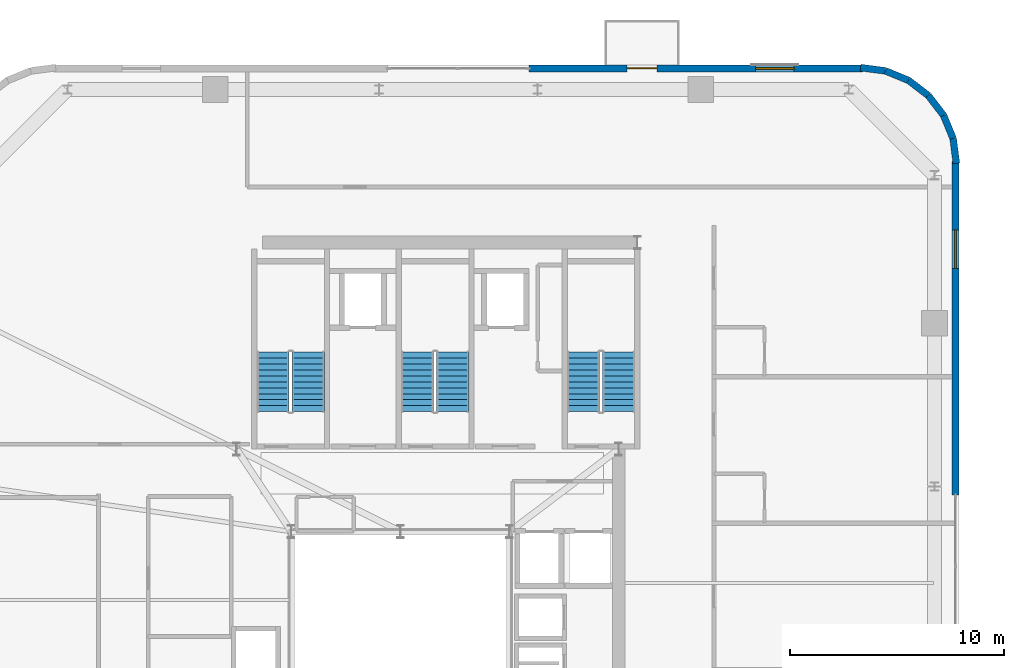
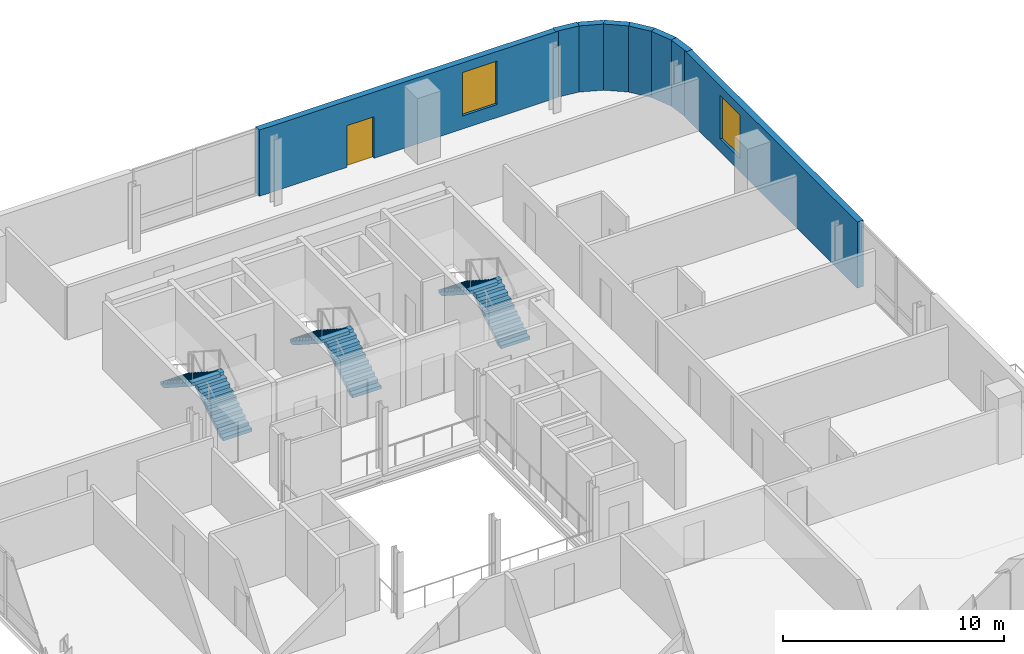
# One storey, part 11 of 15: 8 walls, 6 stair flights, 2 windows, 1 door, 3 openings, 3 elements without a shape of their own.
"""IFC4 building model written with IfcOpenShell, lengths in metres."""

from ifc_helpers import new_model, si_unit, direction, frame, frame_2d, origin, place, context, subcontext, project, spatial, polyline, rectangle, outline, extrude, source, transform, mapped, material, layer, layer_set, type_object, element, fill, aggregate, save


model = new_model("IFC4")

# Units and contexts
model_context = context("Model", 3, precision=1e-05, world=origin(), true_north=direction((0.0, 1.0)))
body_context = subcontext(model_context, "Body", "Model", "MODEL_VIEW")
ifc_project = project(units=[si_unit("LENGTHUNIT", "METRE"), si_unit("AREAUNIT", "SQUARE_METRE"), si_unit("VOLUMEUNIT", "CUBIC_METRE"), si_unit("PLANEANGLEUNIT", "RADIAN"), si_unit("MASSUNIT", "GRAM", prefix="KILO")], contexts=[model_context])

# Site, building, storey
site_placement = place(None, origin())
site = spatial("IfcSite", under=ifc_project, at=site_placement, CompositionType="ELEMENT")
building_placement = place(site_placement, origin())
building = spatial("IfcBuilding", under=site, at=building_placement, Name="Vardaveli Station Tower", CompositionType="ELEMENT")
storey_placement = place(building_placement, frame((0.0, 0.0, 250.60009765625)))
storey = spatial("IfcBuildingStorey", under=building, at=storey_placement, Name="L64", CompositionType="ELEMENT", Elevation=250.60009765625)

# Wall, openings, door, window
ifc_material_1 = material(Name="Precast concrete C45/55", Category="concrete")
ifc_layer = layer(ifc_material_1, 0.320068359375, Name="Precast concrete C45/55")
ifc_layer_set = layer_set([ifc_layer], Name="Precast concrete C45/55")
wall_type = type_object("IfcWallType", Name="WAL-EXT-STONE-320", PredefinedType="SOLIDWALL", material=ifc_layer_set)
shared_shape_1 = source(origin(), body_context, "Body", "SweptSolid", [
    extrude(rectangle(XDim=15.599853515625, YDim=0.320068359375, at=frame_2d((7.7998046875, 0.0))), origin(), (0.0, 0.0, 1.0), 3.64990234375),
])
wall_1_placement = place(storey_placement, frame((57.89990234375, 48.43994140625, 0.0), z_axis=(0.0, 0.0, 1.0), x_axis=(-1.0, 0.0, 0.0)))
wall_1 = element("IfcWall", 1, at=wall_1_placement, inside=storey, type_object=wall_type, Name="EW-L64-N1", PredefinedType="SOLIDWALL", context=body_context, shape_type="MappedRepresentation", body=[
    mapped(shared_shape_1, transform((0.0, 0.0, 0.0), scale=1.0)),
])
shared_shape_2 = source(origin(), body_context, "Body", "SweptSolid", [
    extrude(rectangle(XDim=1.39990234375, YDim=2.300048828125, at=frame_2d((0.699951171875, 1.14990234375))), frame((0.0, 0.169921875, 0.0), z_axis=(0.0, -1.0, 0.0), x_axis=(1.0, 0.0, 0.0)), (0.0, 0.0, 1.0), 0.340087890625),
])
opening_1_placement = place(wall_1_placement, frame((9.6103515625, 0.0, 0.0)))
opening_1 = element("IfcOpeningElement", 2, at=opening_1_placement, cuts=wall_1, Name="Opening D-09", PredefinedType="OPENING", context=body_context, shape_type="MappedRepresentation", body=[
    mapped(shared_shape_2, transform((0.0, 0.0, 0.0), scale=1.0)),
])
shared_shape_3 = source(origin(), body_context, "Body", "SweptSolid", [
    extrude(rectangle(XDim=1.800048828125, YDim=2.39990234375, at=frame_2d((0.89990234375, 1.199951171875))), frame((0.0, 0.169921875, 0.0), z_axis=(0.0, -1.0, 0.0), x_axis=(1.0, 0.0, 0.0)), (0.0, 0.0, 1.0), 0.340087890625),
])
opening_2_placement = place(wall_1_placement, frame((3.205078125, 0.0, 0.719970703125)))
opening_2 = element("IfcOpeningElement", 3, at=opening_2_placement, cuts=wall_1, Name="Opening W-05", PredefinedType="OPENING", context=body_context, shape_type="MappedRepresentation", body=[
    mapped(shared_shape_3, transform((0.0, 0.0, 0.0), scale=1.0)),
])
ifc_material_2 = material(Name="Thermally broken aluminium glass", Category="aluminium")
door_type = type_object("IfcDoorType", Name="DR-LOG-1400x2300", OperationType="DOUBLE_DOOR_SLIDING", PredefinedType="DOOR", material=ifc_material_2)
shared_shape_4 = source(origin(), body_context, "Body", "SweptSolid", [
    extrude(rectangle(XDim=1.39990234375, YDim=2.300048828125, at=frame_2d((0.699951171875, 1.14990234375))), frame((0.0, 0.02490234375, 0.0), z_axis=(0.0, -1.0, 0.0), x_axis=(1.0, 0.0, 0.0)), (0.0, 0.0, 1.0), 0.050048828125),
])
door_placement = place(opening_1_placement, frame((1.39990234375, 0.0, 0.0), z_axis=(0.0, 0.0, 1.0), x_axis=(-1.0, 0.0, 0.0)))
door = element("IfcDoor", 4, at=door_placement, inside=storey, type_object=door_type, Name="DLG-L64-N", OperationType="DOUBLE_DOOR_SLIDING", OverallHeight=2.300048828125, OverallWidth=1.39990234375, PredefinedType="DOOR", context=body_context, shape_type="MappedRepresentation", body=[
    mapped(shared_shape_4, transform((0.0, 0.0, 0.0), scale=1.0)),
])
fill(opening_1, door)
ifc_material_3 = material(Name="Low-E solar-control glass", Category="glass")
window_type = type_object("IfcWindowType", Name="WIN-HIGH-1800x2400", PartitioningType="SINGLE_PANEL", PredefinedType="WINDOW", material=ifc_material_3)
shared_shape_5 = source(origin(), body_context, "Body", "SweptSolid", [
    extrude(rectangle(XDim=1.800048828125, YDim=2.39990234375, at=frame_2d((0.89990234375, 1.199951171875))), frame((0.0, 0.030029296875, 0.0), z_axis=(0.0, -1.0, 0.0), x_axis=(1.0, 0.0, 0.0)), (0.0, 0.0, 1.0), 0.06005859375),
])
window_1_placement = place(opening_2_placement, origin())
window_1 = element("IfcWindow", 5, at=window_1_placement, inside=storey, type_object=window_type, Name="WN-L64-N1", OverallHeight=2.39990234375, OverallWidth=1.800048828125, PartitioningType="SINGLE_PANEL", PredefinedType="WINDOW", context=body_context, shape_type="MappedRepresentation", body=[
    mapped(shared_shape_5, transform((0.0, 0.0, 0.0), scale=1.0)),
])
fill(opening_2, window_1)

# Wall, opening, window
shared_shape_6 = source(origin(), body_context, "Body", "SweptSolid", [
    extrude(rectangle(XDim=15.60009765625, YDim=0.320068359375, at=frame_2d((7.800048828125, 0.0))), origin(), (0.0, 0.0, 1.0), 3.64990234375),
])
wall_2_placement = place(storey_placement, frame((62.239990234375, 28.5, 0.0), z_axis=(0.0, 0.0, 1.0), x_axis=(0.0, 1.0, 0.0)))
wall_2 = element("IfcWall", 6, at=wall_2_placement, inside=storey, type_object=wall_type, Name="EW-L64-E2", PredefinedType="SOLIDWALL", context=body_context, shape_type="MappedRepresentation", body=[
    mapped(shared_shape_6, transform((0.0, 0.0, 0.0), scale=1.0)),
])
opening_3_placement = place(wall_2_placement, frame((10.594970703125, 0.0, 0.719970703125)))
opening_3 = element("IfcOpeningElement", 7, at=opening_3_placement, cuts=wall_2, Name="Opening W-05", PredefinedType="OPENING", context=body_context, shape_type="MappedRepresentation", body=[
    mapped(shared_shape_3, transform((0.0, 0.0, 0.0), scale=1.0)),
])
window_2_placement = place(opening_3_placement, origin())
window_2 = element("IfcWindow", 8, at=window_2_placement, inside=storey, type_object=window_type, Name="WN-L64-E2", OverallHeight=2.39990234375, OverallWidth=1.800048828125, PartitioningType="SINGLE_PANEL", PredefinedType="WINDOW", context=body_context, shape_type="MappedRepresentation", body=[
    mapped(shared_shape_5, transform((0.0, 0.0, 0.0), scale=1.0)),
])
fill(opening_3, window_2)

# Walls
shared_shape_7 = source(origin(), body_context, "Body", "SweptSolid", [
    extrude(rectangle(XDim=1.1689453125, YDim=0.320068359375, at=frame_2d((0.58447265625, 0.0))), origin(), (0.0, 0.0, 1.0), 3.64990234375),
])
wall_3_placement = place(storey_placement, frame((61.679931640625, 46.2412109375, 0.0), z_axis=(0.0, 0.0, 1.0), x_axis=(-0.608387696831, 0.793639975269, 0.0)))
element("IfcWall", 9, at=wall_3_placement, inside=storey, type_object=wall_type, Name="EW-L64-CR3-3", PredefinedType="SOLIDWALL", context=body_context, shape_type="MappedRepresentation", body=[
    mapped(shared_shape_7, transform((0.0, 0.0, 0.0), scale=1.0)),
])
shared_shape_8 = source(origin(), body_context, "Body", "SweptSolid", [
    extrude(rectangle(XDim=1.168701171875, YDim=0.320068359375, at=frame_2d((0.58447265625, 0.0))), origin(), (0.0, 0.0, 1.0), 3.64990234375),
])
wall_4_placement = place(storey_placement, frame((60.96875, 47.1689453125, 0.0), z_axis=(0.0, 0.0, 1.0), x_axis=(-0.793663520347, 0.608356981114, 0.0)))
element("IfcWall", 10, at=wall_4_placement, inside=storey, type_object=wall_type, Name="EW-L64-CR3-4", PredefinedType="SOLIDWALL", context=body_context, shape_type="MappedRepresentation", body=[
    mapped(shared_shape_8, transform((0.0, 0.0, 0.0), scale=1.0)),
])
shared_shape_9 = source(origin(), body_context, "Body", "SweptSolid", [
    extrude(rectangle(XDim=1.17041015625, YDim=0.320068359375, at=frame_2d((0.585205078125, 0.0))), origin(), (0.0, 0.0, 1.0), 3.64990234375),
])
for number, where, z_axis, x_axis, name in (
    (11, (62.275634765625, 43.99951171875, 0.0), (0.0, 0.0, 1.0), (-0.128295670475, 0.991735963317, 0.0), "EW-L64-CR3-1"),
    (12, (58.960205078125, 48.325439453125, 0.0), (0.0, 0.0, 1.0), (-0.991735963317, 0.128295670475, 0.0), "EW-L64-CR3-6"),
):
    element("IfcWall", number, at=place(storey_placement, frame(where, z_axis=z_axis, x_axis=x_axis)), inside=storey, type_object=wall_type, Name=name, PredefinedType="SOLIDWALL", context=body_context, shape_type="MappedRepresentation", body=[
        mapped(shared_shape_9, transform((0.0, 0.0, 0.0), scale=1.0)),
    ])
shared_shape_10 = source(origin(), body_context, "Body", "SweptSolid", [
    extrude(rectangle(XDim=1.169189453125, YDim=0.320068359375, at=frame_2d((0.58447265625, 0.0))), origin(), (0.0, 0.0, 1.0), 3.64990234375),
])
for number, where, z_axis, x_axis, name in (
    (13, (62.12548828125, 45.16015625, 0.0), (0.0, 0.0, 1.0), (-0.381054331552, 0.924552646638, 0.0), "EW-L64-CR3-2"),
    (14, (60.041259765625, 47.8798828125, 0.0), (0.0, 0.0, 1.0), (-0.924552646638, 0.381054331552, 0.0), "EW-L64-CR3-5"),
):
    element("IfcWall", number, at=place(storey_placement, frame(where, z_axis=z_axis, x_axis=x_axis)), inside=storey, type_object=wall_type, Name=name, PredefinedType="SOLIDWALL", context=body_context, shape_type="MappedRepresentation", body=[
        mapped(shared_shape_10, transform((0.0, 0.0, 0.0), scale=1.0)),
    ])

# Stair, stair flights
ifc_material_4 = material(Name="Concrete C40/50", Category="concrete")
stair_type = type_object("IfcStairType", Name="STR-CORE-1500", PredefinedType="HALF_TURN_STAIR", material=ifc_material_4)
stair_1_placement = place(storey_placement, origin())
stair_1 = element("IfcStair", 15, at=stair_1_placement, inside=storey, type_object=stair_type, Name="L64 ST-1", PredefinedType="HALF_TURN_STAIR")
stair_flight_type = type_object("IfcStairFlightType", Name="SFL-CORE-1500", PredefinedType="STRAIGHT", material=ifc_material_4)
shared_shape_11 = source(origin(), body_context, "Body", "SweptSolid", [
    extrude(outline(polyline([(0.0, 0.0), (0.0, 0.179443359375), (0.280029296875, 0.179443359375), (0.280029296875, 0.359130859375), (0.56005859375, 0.359130859375), (0.56005859375, 0.53857421875), (0.840087890625, 0.53857421875), (0.840087890625, 0.71826171875), (1.1201171875, 0.71826171875), (1.1201171875, 0.897705078125), (1.39990234375, 0.897705078125), (1.39990234375, 1.077392578125), (1.679931640625, 1.077392578125), (1.679931640625, 1.2568359375), (1.9599609375, 1.2568359375), (1.9599609375, 1.436279296875), (2.239990234375, 1.436279296875), (2.239990234375, 1.615966796875), (2.52001953125, 1.615966796875), (2.52001953125, 1.79541015625), (2.800048828125, 1.79541015625), (2.800048828125, 1.97509765625), (2.800048828125, 1.617431640625), (0.277587890625, 0.0), (0.0, 0.0)])), frame((0.0, 0.75, 0.0), z_axis=(0.0, -1.0, 0.0), x_axis=(1.0, 0.0, 0.0)), (0.0, 0.0, 1.0), 1.5),
])
stair_flight_1_placement = place(storey_placement, frame((32.0, 32.39990234375, 0.0), z_axis=(0.0, 0.0, 1.0), x_axis=(0.0, 1.0, 0.0)))
stair_flight_1 = element("IfcStairFlight", 16, at=stair_flight_1_placement, type_object=stair_flight_type, Name="ST-1 flight 1", NumberOfRisers=11, NumberOfTreads=10, PredefinedType="STRAIGHT", RiserHeight=0.179545455, TreadLength=0.28, context=body_context, shape_type="MappedRepresentation", body=[
    mapped(shared_shape_11, transform((0.0, 0.0, 0.0), scale=1.0)),
])
stair_flight_2_placement = place(storey_placement, frame((30.35009765625, 35.199951171875, 1.974853515625), z_axis=(0.0, 0.0, 1.0), x_axis=(0.0, -1.0, 0.0)))
stair_flight_2 = element("IfcStairFlight", 17, at=stair_flight_2_placement, type_object=stair_flight_type, Name="ST-1 flight 2", NumberOfRisers=11, NumberOfTreads=10, PredefinedType="STRAIGHT", RiserHeight=0.179545455, TreadLength=0.28, context=body_context, shape_type="MappedRepresentation", body=[
    mapped(shared_shape_11, transform((0.0, 0.0, 0.0), scale=1.0)),
])
aggregate(stair_1, [stair_flight_1, stair_flight_2])

stair_2_placement = place(storey_placement, origin())
stair_2 = element("IfcStair", 18, at=stair_2_placement, inside=storey, type_object=stair_type, Name="L64 ST-2", PredefinedType="HALF_TURN_STAIR")
stair_flight_3_placement = place(storey_placement, frame((38.75, 32.39990234375, 0.0), z_axis=(0.0, 0.0, 1.0), x_axis=(0.0, 1.0, 0.0)))
stair_flight_3 = element("IfcStairFlight", 19, at=stair_flight_3_placement, type_object=stair_flight_type, Name="ST-2 flight 1", NumberOfRisers=11, NumberOfTreads=10, PredefinedType="STRAIGHT", RiserHeight=0.179545455, TreadLength=0.28, context=body_context, shape_type="MappedRepresentation", body=[
    mapped(shared_shape_11, transform((0.0, 0.0, 0.0), scale=1.0)),
])
stair_flight_4_placement = place(storey_placement, frame((37.10009765625, 35.199951171875, 1.974853515625), z_axis=(0.0, 0.0, 1.0), x_axis=(0.0, -1.0, 0.0)))
stair_flight_4 = element("IfcStairFlight", 20, at=stair_flight_4_placement, type_object=stair_flight_type, Name="ST-2 flight 2", NumberOfRisers=11, NumberOfTreads=10, PredefinedType="STRAIGHT", RiserHeight=0.179545455, TreadLength=0.28, context=body_context, shape_type="MappedRepresentation", body=[
    mapped(shared_shape_11, transform((0.0, 0.0, 0.0), scale=1.0)),
])
aggregate(stair_2, [stair_flight_3, stair_flight_4])

stair_3_placement = place(storey_placement, origin())
stair_3 = element("IfcStair", 21, at=stair_3_placement, inside=storey, type_object=stair_type, Name="L64 ST-3", PredefinedType="HALF_TURN_STAIR")
stair_flight_5_placement = place(storey_placement, frame((46.5, 32.39990234375, 0.0), z_axis=(0.0, 0.0, 1.0), x_axis=(0.0, 1.0, 0.0)))
stair_flight_5 = element("IfcStairFlight", 22, at=stair_flight_5_placement, type_object=stair_flight_type, Name="ST-3 flight 1", NumberOfRisers=11, NumberOfTreads=10, PredefinedType="STRAIGHT", RiserHeight=0.179545455, TreadLength=0.28, context=body_context, shape_type="MappedRepresentation", body=[
    mapped(shared_shape_11, transform((0.0, 0.0, 0.0), scale=1.0)),
])
stair_flight_6_placement = place(storey_placement, frame((44.85009765625, 35.199951171875, 1.974853515625), z_axis=(0.0, 0.0, 1.0), x_axis=(0.0, -1.0, 0.0)))
stair_flight_6 = element("IfcStairFlight", 23, at=stair_flight_6_placement, type_object=stair_flight_type, Name="ST-3 flight 2", NumberOfRisers=11, NumberOfTreads=10, PredefinedType="STRAIGHT", RiserHeight=0.179545455, TreadLength=0.28, context=body_context, shape_type="MappedRepresentation", body=[
    mapped(shared_shape_11, transform((0.0, 0.0, 0.0), scale=1.0)),
])
aggregate(stair_3, [stair_flight_5, stair_flight_6])

save(model, "model.ifc")
